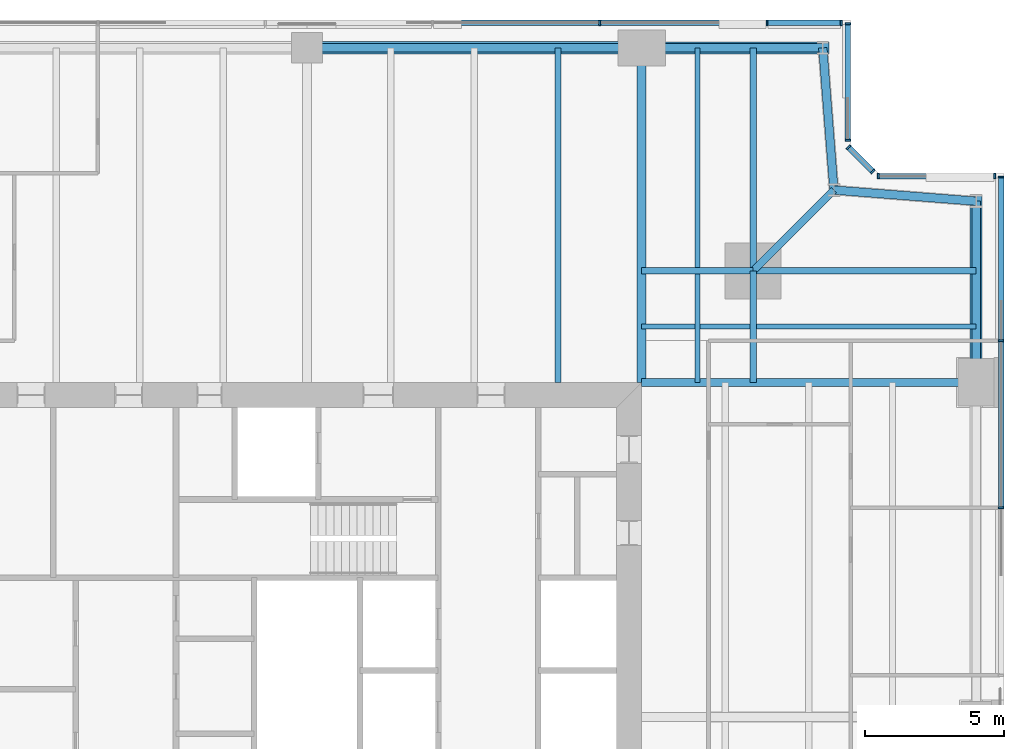
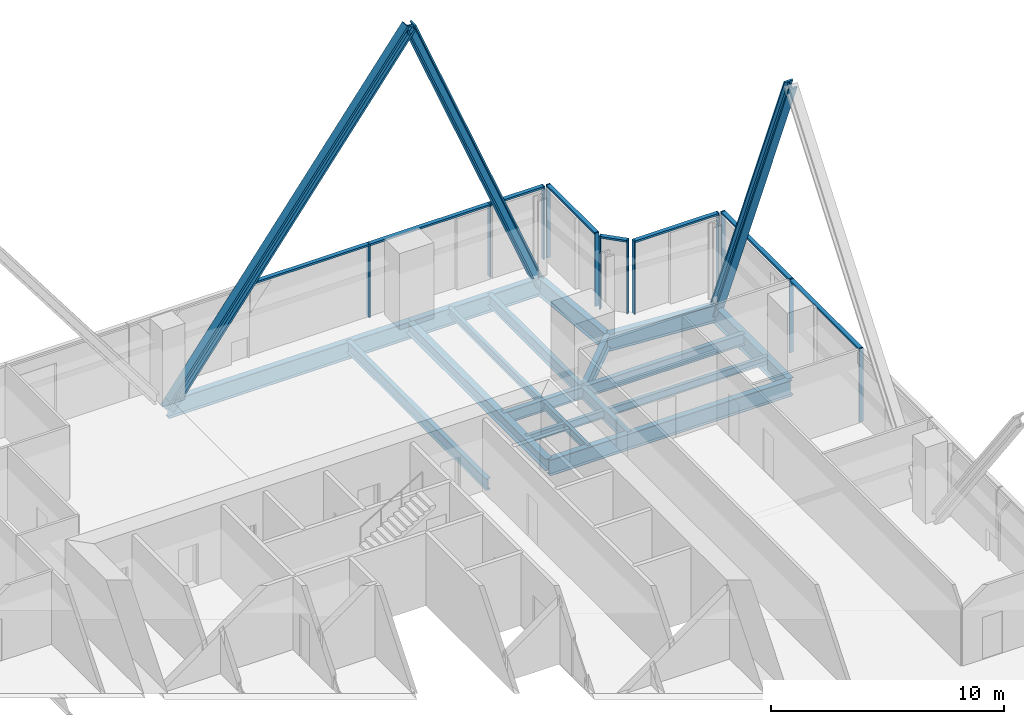
# One storey, part 7 of 14: 23 members, 18 beams, 5 elements without a shape of their own.
"""IFC4 building model written with IfcOpenShell, lengths in metres."""

from ifc_helpers import new_model, si_unit, direction, frame, origin, origin_2d, place, context, subcontext, project, spatial, rectangle, i_section, extrude, material, material_profile, profile_set, type_object, element, aggregate, save


model = new_model("IFC4")

# Units and contexts
model_context = context("Model", 3, precision=1e-05, world=origin(), true_north=direction((0.0, 1.0)))
body_context = subcontext(model_context, "Body", "Model", "MODEL_VIEW")
ifc_project = project(units=[si_unit("LENGTHUNIT", "METRE"), si_unit("AREAUNIT", "SQUARE_METRE"), si_unit("VOLUMEUNIT", "CUBIC_METRE"), si_unit("PLANEANGLEUNIT", "RADIAN"), si_unit("MASSUNIT", "GRAM", prefix="KILO")], contexts=[model_context])

# Site, building, storey
site_placement = place(None, origin())
site = spatial("IfcSite", under=ifc_project, at=site_placement, CompositionType="ELEMENT")
building_placement = place(site_placement, origin())
building = spatial("IfcBuilding", under=site, at=building_placement, Name="Fenwick Lantern Interchange", CompositionType="ELEMENT")
storey_placement = place(building_placement, frame((0.0, 0.0, 217.800048828125)))
storey = spatial("IfcBuildingStorey", under=building, at=storey_placement, Name="L51", CompositionType="ELEMENT", Elevation=217.800048828125)

# Beams
ifc_material_1 = material(Name="Steel ASTM A992 Grade 50", Category="steel")
ifc_material_profile_1 = material_profile(ifc_material_1, i_section(OverallWidth=0.3046875, OverallDepth=0.911865234375, WebThickness=0.015869140625, FlangeThickness=0.02392578125, at=origin_2d()), Name="W36X150")
ifc_profile_set_1 = profile_set([ifc_material_profile_1], Name="Steel ASTM A992 Grade 50")
beam_type_1 = type_object("IfcBeamType", Name="EDGE BEAM W36X150", PredefinedType="SPANDREL", material=ifc_profile_set_1)
beam_1_placement = place(storey_placement, frame((49.0, 37.0, -0.60595703125), z_axis=(0.0, 1.0, 0.0), x_axis=(-1.0, 0.0, 0.0)))
element("IfcBeam", 1, at=beam_1_placement, inside=storey, type_object=beam_type_1, Name="L51/FR/E/EB4", PredefinedType="SPANDREL", context=body_context, shape_type="SweptSolid", body=[
    extrude(i_section(OverallWidth=0.3046875, OverallDepth=0.911865234375, WebThickness=0.015869140625, FlangeThickness=0.02392578125, at=origin_2d()), origin(), (0.0, 0.0, 1.0), 6.5),
])
for number, where, z_axis, x_axis, name in (
    (2, (49.0, 43.5, -0.60595703125), (-0.99693998236, 0.078170784639, 0.0), (-0.078170784639, -0.99693998236, 0.0), "L51/FR/E/EBR1"),
    (3, (43.89990234375, 43.89990234375, -0.60595703125), (-0.078170784639, 0.99693998236, 0.0), (-0.99693998236, -0.078170784639, 0.0), "L51/FR/E/EBR2"),
):
    element("IfcBeam", number, at=place(storey_placement, frame(where, z_axis=z_axis, x_axis=x_axis)), inside=storey, type_object=beam_type_1, Name=name, PredefinedType="SPANDREL", context=body_context, shape_type="SweptSolid", body=[
        extrude(i_section(OverallWidth=0.3046875, OverallDepth=0.911865234375, WebThickness=0.015869140625, FlangeThickness=0.02392578125, at=origin_2d()), origin(), (0.0, 0.0, 1.0), 5.11572265625),
    ])
beam_2_placement = place(storey_placement, frame((43.5, 49.0, -0.60595703125), z_axis=(-1.0, 0.0, 0.0), x_axis=(0.0, -1.0, 0.0)))
element("IfcBeam", 4, at=beam_2_placement, inside=storey, type_object=beam_type_1, Name="L51/FR/N/EB1", PredefinedType="SPANDREL", context=body_context, shape_type="SweptSolid", body=[
    extrude(i_section(OverallWidth=0.3046875, OverallDepth=0.911865234375, WebThickness=0.015869140625, FlangeThickness=0.02392578125, at=origin_2d()), origin(), (0.0, 0.0, 1.0), 6.5),
])
beam_3_placement = place(storey_placement, frame((37.0, 49.0, -0.60595703125), z_axis=(-1.0, 0.0, 0.0), x_axis=(0.0, -1.0, 0.0)))
element("IfcBeam", 5, at=beam_3_placement, inside=storey, type_object=beam_type_1, Name="L51/FR/N/EB2", PredefinedType="SPANDREL", context=body_context, shape_type="SweptSolid", body=[
    extrude(i_section(OverallWidth=0.3046875, OverallDepth=0.911865234375, WebThickness=0.015869140625, FlangeThickness=0.02392578125, at=origin_2d()), origin(), (0.0, 0.0, 1.0), 12.0),
])

# Members
ifc_material_profile_2 = material_profile(ifc_material_1, i_section(OverallWidth=0.424072265625, OverallDepth=0.47509765625, WebThickness=0.0478515625, FlangeThickness=0.0771484375, at=origin_2d()), Name="W14X426")
ifc_profile_set_2 = profile_set([ifc_material_profile_2], Name="Steel ASTM A992 Grade 50")
member_type_1 = type_object("IfcMemberType", Name="FACADE BRACE W14X426", PredefinedType="BRACE", material=ifc_profile_set_2)
for number, where, z_axis, x_axis, name in (
    (6, (49.0, 43.5, -0.60595703125), (0.0, -0.378707062483, 0.925516591329), (1.0, 0.0, 0.0), "L51/FB/E/BE"),
    (7, (43.5, 49.0, -0.60595703125), (-0.378707062483, 0.0, 0.925516591329), (0.0, -1.0, 0.0), "L51/FB/N/AE"),
):
    element("IfcMember", number, at=place(storey_placement, frame(where, z_axis=z_axis, x_axis=x_axis)), inside=storey, type_object=member_type_1, Name=name, PredefinedType="BRACE", context=body_context, shape_type="SweptSolid", body=[
        extrude(i_section(OverallWidth=0.424072265625, OverallDepth=0.47509765625, WebThickness=0.0478515625, FlangeThickness=0.0771484375, at=origin_2d()), origin(), (0.0, 0.0, 1.0), 17.16357421875),
    ])
ifc_material_profile_3 = material_profile(ifc_material_1, i_section(OverallWidth=0.44189453125, OverallDepth=0.53076171875, WebThickness=0.06591796875, FlangeThickness=0.105712890625, at=origin_2d()), Name="W14X605")
ifc_profile_set_3 = profile_set([ifc_material_profile_3], Name="Steel ASTM A992 Grade 50")
member_type_2 = type_object("IfcMemberType", Name="FACADE BRACE W14X605", PredefinedType="BRACE", material=ifc_profile_set_3)
member_1_placement = place(storey_placement, frame((25.0, 49.0, -0.60595703125), z_axis=(0.602763000162, 0.0, 0.797920275238), x_axis=(0.0, 1.0, 0.0)))
element("IfcMember", 8, at=member_1_placement, inside=storey, type_object=member_type_2, Name="L51/FB/N/A", PredefinedType="BRACE", context=body_context, shape_type="SweptSolid", body=[
    extrude(i_section(OverallWidth=0.44189453125, OverallDepth=0.53076171875, WebThickness=0.06591796875, FlangeThickness=0.105712890625, at=origin_2d()), origin(), (0.0, 0.0, 1.0), 19.908203125),
])

# Beams
ifc_material_profile_4 = material_profile(ifc_material_1, i_section(OverallWidth=0.22900390625, OverallDepth=0.612060546875, WebThickness=0.011962890625, FlangeThickness=0.01953125, at=origin_2d()), Name="W24X84")
ifc_profile_set_4 = profile_set([ifc_material_profile_4], Name="Steel ASTM A992 Grade 50")
beam_type_2 = type_object("IfcBeamType", Name="FLOOR BEAM W24X84", PredefinedType="BEAM", material=ifc_profile_set_4)
beam_4_placement = place(storey_placement, frame((34.0, 49.0, -0.4560546875), z_axis=(0.0, -1.0, 0.0), x_axis=(1.0, 0.0, 0.0)))
element("IfcBeam", 9, at=beam_4_placement, inside=storey, type_object=beam_type_2, Name="L51/FR/N/R02", PredefinedType="BEAM", context=body_context, shape_type="SweptSolid", body=[
    extrude(i_section(OverallWidth=0.22900390625, OverallDepth=0.612060546875, WebThickness=0.011962890625, FlangeThickness=0.01953125, at=origin_2d()), origin(), (0.0, 0.0, 1.0), 12.0),
])
ifc_material_profile_5 = material_profile(ifc_material_1, i_section(OverallWidth=0.177734375, OverallDepth=0.406494140625, WebThickness=0.0078125, FlangeThickness=0.012939453125, at=origin_2d()), Name="W16X40")
ifc_profile_set_5 = profile_set([ifc_material_profile_5], Name="Steel ASTM A992 Grade 50")
beam_type_3 = type_object("IfcBeamType", Name="INFILL BEAM W16X40", PredefinedType="JOIST", material=ifc_profile_set_5)
beam_5_placement = place(storey_placement, frame((39.0, 49.0, -0.353271484375), z_axis=(0.0, -1.0, 0.0), x_axis=(1.0, 0.0, 0.0)))
element("IfcBeam", 10, at=beam_5_placement, inside=storey, type_object=beam_type_3, Name="L51/FR/N/J1", PredefinedType="JOIST", context=body_context, shape_type="SweptSolid", body=[
    extrude(i_section(OverallWidth=0.177734375, OverallDepth=0.406494140625, WebThickness=0.0078125, FlangeThickness=0.012939453125, at=origin_2d()), origin(), (0.0, 0.0, 1.0), 7.885498046875),
])
beam_6_placement = place(storey_placement, frame((39.0, 40.885498046875, -0.353271484375), z_axis=(0.0, -1.0, 0.0), x_axis=(1.0, 0.0, 0.0)))
element("IfcBeam", 11, at=beam_6_placement, inside=storey, type_object=beam_type_3, Name="L51/FR/N/J2", PredefinedType="JOIST", context=body_context, shape_type="SweptSolid", body=[
    extrude(i_section(OverallWidth=0.177734375, OverallDepth=0.406494140625, WebThickness=0.0078125, FlangeThickness=0.012939453125, at=origin_2d()), origin(), (0.0, 0.0, 1.0), 3.885498046875),
])
beam_7_placement = place(storey_placement, frame((49.0, 39.0, -0.353271484375), z_axis=(-1.0, 0.0, 0.0), x_axis=(0.0, -1.0, 0.0)))
element("IfcBeam", 12, at=beam_7_placement, inside=storey, type_object=beam_type_3, Name="L51/FR/N/J3", PredefinedType="JOIST", context=body_context, shape_type="SweptSolid", body=[
    extrude(i_section(OverallWidth=0.177734375, OverallDepth=0.406494140625, WebThickness=0.0078125, FlangeThickness=0.012939453125, at=origin_2d()), origin(), (0.0, 0.0, 1.0), 7.885498046875),
])
beam_8_placement = place(storey_placement, frame((40.885498046875, 39.0, -0.353271484375), z_axis=(-1.0, 0.0, 0.0), x_axis=(0.0, -1.0, 0.0)))
element("IfcBeam", 13, at=beam_8_placement, inside=storey, type_object=beam_type_3, Name="L51/FR/N/J4", PredefinedType="JOIST", context=body_context, shape_type="SweptSolid", body=[
    extrude(i_section(OverallWidth=0.177734375, OverallDepth=0.406494140625, WebThickness=0.0078125, FlangeThickness=0.012939453125, at=origin_2d()), origin(), (0.0, 0.0, 1.0), 1.796630859375),
])
beam_9_placement = place(storey_placement, frame((38.9111328125, 39.0, -0.353271484375), z_axis=(-1.0, 0.0, 0.0), x_axis=(0.0, -1.0, 0.0)))
element("IfcBeam", 14, at=beam_9_placement, inside=storey, type_object=beam_type_3, Name="L51/FR/N/J5", PredefinedType="JOIST", context=body_context, shape_type="SweptSolid", body=[
    extrude(i_section(OverallWidth=0.177734375, OverallDepth=0.406494140625, WebThickness=0.0078125, FlangeThickness=0.012939453125, at=origin_2d()), origin(), (0.0, 0.0, 1.0), 1.9111328125),
])
ifc_material_profile_6 = material_profile(ifc_material_1, i_section(OverallWidth=0.22900390625, OverallDepth=0.612060546875, WebThickness=0.011962890625, FlangeThickness=0.01953125, at=origin_2d()), Name="W24X84")
ifc_profile_set_6 = profile_set([ifc_material_profile_6], Name="Steel ASTM A992 Grade 50")
beam_type_4 = type_object("IfcBeamType", Name="MEGA COLUMN BEAM W24X84", PredefinedType="BEAM", material=ifc_profile_set_6)
for number, where, z_axis, x_axis, name in (
    (15, (41.0, 41.0, -0.4560546875), (0.0, 1.0, 0.0), (-1.0, 0.0, 0.0), "L51/FR/N/MB1"),
    (16, (41.0, 41.0, -0.4560546875), (1.0, 0.0, 0.0), (0.0, 1.0, 0.0), "L51/FR/N/MB2"),
):
    element("IfcBeam", number, at=place(storey_placement, frame(where, z_axis=z_axis, x_axis=x_axis)), inside=storey, type_object=beam_type_4, Name=name, PredefinedType="BEAM", context=body_context, shape_type="SweptSolid", body=[
        extrude(i_section(OverallWidth=0.22900390625, OverallDepth=0.612060546875, WebThickness=0.011962890625, FlangeThickness=0.01953125, at=origin_2d()), origin(), (0.0, 0.0, 1.0), 8.0),
    ])
for number, where, z_axis, x_axis, name in (
    (17, (41.0, 41.0, -0.4560546875), (-1.0, 0.0, 0.0), (0.0, -1.0, 0.0), "L51/FR/N/MB3"),
    (18, (41.0, 41.0, -0.4560546875), (0.0, -1.0, 0.0), (1.0, 0.0, 0.0), "L51/FR/N/MB4"),
):
    element("IfcBeam", number, at=place(storey_placement, frame(where, z_axis=z_axis, x_axis=x_axis)), inside=storey, type_object=beam_type_4, Name=name, PredefinedType="BEAM", context=body_context, shape_type="SweptSolid", body=[
        extrude(i_section(OverallWidth=0.22900390625, OverallDepth=0.612060546875, WebThickness=0.011962890625, FlangeThickness=0.01953125, at=origin_2d()), origin(), (0.0, 0.0, 1.0), 4.0),
    ])
ifc_material_profile_7 = material_profile(ifc_material_1, i_section(OverallWidth=0.32763671875, OverallDepth=0.622314453125, WebThickness=0.015380859375, FlangeThickness=0.0244140625, at=origin_2d()), Name="W24X131")
ifc_profile_set_7 = profile_set([ifc_material_profile_7], Name="Steel ASTM A992 Grade 50")
beam_type_5 = type_object("IfcBeamType", Name="MOMENT-CONNECTED GIRDER W24X131", PredefinedType="BEAM", material=ifc_profile_set_7)
beam_10_placement = place(storey_placement, frame((37.0, 49.0, -0.461181640625), z_axis=(0.0, -1.0, 0.0), x_axis=(1.0, 0.0, 0.0)))
element("IfcBeam", 19, at=beam_10_placement, inside=storey, type_object=beam_type_5, Name="L51/FR/N/R01", PredefinedType="BEAM", context=body_context, shape_type="SweptSolid", body=[
    extrude(i_section(OverallWidth=0.32763671875, OverallDepth=0.622314453125, WebThickness=0.015380859375, FlangeThickness=0.0244140625, at=origin_2d()), origin(), (0.0, 0.0, 1.0), 12.0),
])
ifc_material_profile_8 = material_profile(ifc_material_1, i_section(OverallWidth=0.2919921875, OverallDepth=0.845703125, WebThickness=0.015380859375, FlangeThickness=0.0244140625, at=origin_2d()), Name="W33X141")
ifc_profile_set_8 = profile_set([ifc_material_profile_8], Name="Steel ASTM A992 Grade 50")
beam_type_6 = type_object("IfcBeamType", Name="MOMENT-CONNECTED GIRDER W33X141", PredefinedType="BEAM", material=ifc_profile_set_8)
beam_11_placement = place(storey_placement, frame((49.0, 37.0, -0.572998046875), z_axis=(-1.0, 0.0, 0.0), x_axis=(0.0, -1.0, 0.0)))
element("IfcBeam", 20, at=beam_11_placement, inside=storey, type_object=beam_type_6, Name="L51/FR/E/R03", PredefinedType="BEAM", context=body_context, shape_type="SweptSolid", body=[
    extrude(i_section(OverallWidth=0.2919921875, OverallDepth=0.845703125, WebThickness=0.015380859375, FlangeThickness=0.0244140625, at=origin_2d()), origin(), (0.0, 0.0, 1.0), 12.0),
])
ifc_material_profile_9 = material_profile(ifc_material_1, i_section(OverallWidth=0.2666015625, OverallDepth=0.7568359375, WebThickness=0.013916015625, FlangeThickness=0.019287109375, at=origin_2d()), Name="W30X108")
ifc_profile_set_9 = profile_set([ifc_material_profile_9], Name="Steel ASTM A992 Grade 50")
beam_type_7 = type_object("IfcBeamType", Name="NOTCH BEAM W30X108", PredefinedType="BEAM", material=ifc_profile_set_9)
beam_12_placement = place(storey_placement, frame((41.0, 41.0, -0.528564453125), z_axis=(0.707106781187, 0.707106781187, 0.0), x_axis=(-0.707106781187, 0.707106781187, 0.0)))
element("IfcBeam", 21, at=beam_12_placement, inside=storey, type_object=beam_type_7, Name="L51/FR/N/TG", PredefinedType="BEAM", context=body_context, shape_type="SweptSolid", body=[
    extrude(i_section(OverallWidth=0.2666015625, OverallDepth=0.7568359375, WebThickness=0.013916015625, FlangeThickness=0.019287109375, at=origin_2d()), origin(), (0.0, 0.0, 1.0), 4.10107421875),
])

# Curtain wall, members
ifc_material_2 = material(Name="Aluminium curtain wall frame", Category="aluminium")
curtain_wall_type = type_object("IfcCurtainWallType", Name="OFFICE CURTAIN WALL", PredefinedType="USERDEFINED", material=ifc_material_2)
curtain_wall_1_placement = place(storey_placement, origin())
curtain_wall_1 = element("IfcCurtainWall", 22, at=curtain_wall_1_placement, inside=storey, type_object=curtain_wall_type, Name="Office curtain wall 05", ObjectType="OFFICE CURTAIN WALL", PredefinedType="USERDEFINED")
ifc_material_3 = material(Name="Aluminium extrusion", Category="aluminium")
ifc_material_profile_10 = material_profile(ifc_material_3, rectangle(XDim=0.199951171875, YDim=0.06494140625, at=origin_2d()), Name="OFFICE CURTAIN WALL MULLION 65 X 200")
ifc_profile_set_10 = profile_set([ifc_material_profile_10], Name="Aluminium extrusion")
member_type_3 = type_object("IfcMemberType", Name="OFFICE CURTAIN WALL MULLION 65 X 200", PredefinedType="MULLION", material=ifc_profile_set_10)
member_2_placement = place(storey_placement, frame((49.89990234375, 32.5, 0.0), z_axis=(0.0, 0.0, 1.0), x_axis=(-1.0, 0.0, 0.0)))
member_2 = element("IfcMember", 23, at=member_2_placement, type_object=member_type_3, Name="L51/CW/05/M05", PredefinedType="MULLION", context=body_context, shape_type="SweptSolid", body=[
    extrude(rectangle(XDim=0.199951171875, YDim=0.06494140625, at=origin_2d()), origin(), (0.0, 0.0, 1.0), 3.849853515625),
])
member_3_placement = place(storey_placement, frame((49.89990234375, 38.5, 0.0), z_axis=(0.0, 0.0, 1.0), x_axis=(-1.0, 0.0, 0.0)))
member_3 = element("IfcMember", 24, at=member_3_placement, type_object=member_type_3, Name="L51/CW/05/M06", PredefinedType="MULLION", context=body_context, shape_type="SweptSolid", body=[
    extrude(rectangle(XDim=0.199951171875, YDim=0.06494140625, at=origin_2d()), origin(), (0.0, 0.0, 1.0), 3.849853515625),
])
member_4_placement = place(storey_placement, frame((49.89990234375, 44.367431640625, 0.0), z_axis=(0.0, 0.0, 1.0), x_axis=(-1.0, 0.0, 0.0)))
member_4 = element("IfcMember", 25, at=member_4_placement, type_object=member_type_3, Name="L51/CW/05/M07", PredefinedType="MULLION", context=body_context, shape_type="SweptSolid", body=[
    extrude(rectangle(XDim=0.199951171875, YDim=0.06494140625, at=origin_2d()), origin(), (0.0, 0.0, 1.0), 3.849853515625),
])

curtain_wall_2_placement = place(storey_placement, origin())
curtain_wall_2 = element("IfcCurtainWall", 26, at=curtain_wall_2_placement, inside=storey, type_object=curtain_wall_type, Name="Office curtain wall 06", ObjectType="OFFICE CURTAIN WALL", PredefinedType="USERDEFINED")
member_5_placement = place(storey_placement, frame((49.66748046875, 44.39990234375, 0.0), z_axis=(0.0, 0.0, 1.0), x_axis=(0.0, -1.0, 0.0)))
member_5 = element("IfcMember", 27, at=member_5_placement, type_object=member_type_3, Name="L51/CW/06/M00", PredefinedType="MULLION", context=body_context, shape_type="SweptSolid", body=[
    extrude(rectangle(XDim=0.199951171875, YDim=0.06494140625, at=origin_2d()), origin(), (0.0, 0.0, 1.0), 3.849853515625),
])
member_6_placement = place(storey_placement, frame((45.490966796875, 44.39990234375, 0.0), z_axis=(0.0, 0.0, 1.0), x_axis=(0.0, -1.0, 0.0)))
member_6 = element("IfcMember", 28, at=member_6_placement, type_object=member_type_3, Name="L51/CW/06/M01", PredefinedType="MULLION", context=body_context, shape_type="SweptSolid", body=[
    extrude(rectangle(XDim=0.199951171875, YDim=0.06494140625, at=origin_2d()), origin(), (0.0, 0.0, 1.0), 3.849853515625),
])

curtain_wall_3_placement = place(storey_placement, origin())
curtain_wall_3 = element("IfcCurtainWall", 29, at=curtain_wall_3_placement, inside=storey, type_object=curtain_wall_type, Name="Office curtain wall 07", ObjectType="OFFICE CURTAIN WALL", PredefinedType="USERDEFINED")
member_7_placement = place(storey_placement, frame((45.294189453125, 44.564453125, 0.0), z_axis=(0.0, 0.0, 1.0), x_axis=(-0.707106781187, -0.707106781187, 0.0)))
member_7 = element("IfcMember", 30, at=member_7_placement, type_object=member_type_3, Name="L51/CW/07/M00", PredefinedType="MULLION", context=body_context, shape_type="SweptSolid", body=[
    extrude(rectangle(XDim=0.199951171875, YDim=0.06494140625, at=origin_2d()), origin(), (0.0, 0.0, 1.0), 3.849853515625),
])
member_8_placement = place(storey_placement, frame((44.423095703125, 45.435546875, 0.0), z_axis=(0.0, 0.0, 1.0), x_axis=(-0.707106781187, -0.707106781187, 0.0)))
member_8 = element("IfcMember", 31, at=member_8_placement, type_object=member_type_3, Name="L51/CW/07/M01", PredefinedType="MULLION", context=body_context, shape_type="SweptSolid", body=[
    extrude(rectangle(XDim=0.199951171875, YDim=0.06494140625, at=origin_2d()), origin(), (0.0, 0.0, 1.0), 3.849853515625),
])

curtain_wall_4_placement = place(storey_placement, origin())
curtain_wall_4 = element("IfcCurtainWall", 32, at=curtain_wall_4_placement, inside=storey, type_object=curtain_wall_type, Name="Office curtain wall 08", ObjectType="OFFICE CURTAIN WALL", PredefinedType="USERDEFINED")
member_9_placement = place(storey_placement, frame((44.39990234375, 45.691162109375, 0.0), z_axis=(0.0, 0.0, 1.0), x_axis=(-1.0, 0.0, 0.0)))
member_9 = element("IfcMember", 33, at=member_9_placement, type_object=member_type_3, Name="L51/CW/08/M00", PredefinedType="MULLION", context=body_context, shape_type="SweptSolid", body=[
    extrude(rectangle(XDim=0.199951171875, YDim=0.06494140625, at=origin_2d()), origin(), (0.0, 0.0, 1.0), 3.849853515625),
])
member_10_placement = place(storey_placement, frame((44.39990234375, 49.867431640625, 0.0), z_axis=(0.0, 0.0, 1.0), x_axis=(-1.0, 0.0, 0.0)))
member_10 = element("IfcMember", 34, at=member_10_placement, type_object=member_type_3, Name="L51/CW/08/M01", PredefinedType="MULLION", context=body_context, shape_type="SweptSolid", body=[
    extrude(rectangle(XDim=0.199951171875, YDim=0.06494140625, at=origin_2d()), origin(), (0.0, 0.0, 1.0), 3.849853515625),
])

curtain_wall_5_placement = place(storey_placement, origin())
curtain_wall_5 = element("IfcCurtainWall", 35, at=curtain_wall_5_placement, inside=storey, type_object=curtain_wall_type, Name="Office curtain wall 09", ObjectType="OFFICE CURTAIN WALL", PredefinedType="USERDEFINED")
member_11_placement = place(storey_placement, frame((44.16748046875, 49.89990234375, 0.0), z_axis=(0.0, 0.0, 1.0), x_axis=(0.0, -1.0, 0.0)))
member_11 = element("IfcMember", 36, at=member_11_placement, type_object=member_type_3, Name="L51/CW/09/M00", PredefinedType="MULLION", context=body_context, shape_type="SweptSolid", body=[
    extrude(rectangle(XDim=0.199951171875, YDim=0.06494140625, at=origin_2d()), origin(), (0.0, 0.0, 1.0), 3.849853515625),
])
member_12_placement = place(storey_placement, frame((41.5, 49.89990234375, 0.0), z_axis=(0.0, 0.0, 1.0), x_axis=(0.0, -1.0, 0.0)))
member_12 = element("IfcMember", 37, at=member_12_placement, type_object=member_type_3, Name="L51/CW/09/M01", PredefinedType="MULLION", context=body_context, shape_type="SweptSolid", body=[
    extrude(rectangle(XDim=0.199951171875, YDim=0.06494140625, at=origin_2d()), origin(), (0.0, 0.0, 1.0), 3.849853515625),
])
member_13_placement = place(storey_placement, frame((35.5, 49.89990234375, 0.0), z_axis=(0.0, 0.0, 1.0), x_axis=(0.0, -1.0, 0.0)))
member_13 = element("IfcMember", 38, at=member_13_placement, type_object=member_type_3, Name="L51/CW/09/M02", PredefinedType="MULLION", context=body_context, shape_type="SweptSolid", body=[
    extrude(rectangle(XDim=0.199951171875, YDim=0.06494140625, at=origin_2d()), origin(), (0.0, 0.0, 1.0), 3.849853515625),
])

# Member
ifc_material_profile_11 = material_profile(ifc_material_3, rectangle(XDim=0.199951171875, YDim=0.10009765625, at=origin_2d()), Name="OFFICE CURTAIN WALL TRANSOM 100 X 200")
ifc_profile_set_11 = profile_set([ifc_material_profile_11], Name="Aluminium extrusion")
member_type_4 = type_object("IfcMemberType", Name="OFFICE CURTAIN WALL TRANSOM 100 X 200", PredefinedType="MULLION", material=ifc_profile_set_11)
member_14_placement = place(storey_placement, frame((49.89990234375, 32.532470703125, 3.800048828125), z_axis=(0.0, 1.0, 0.0), x_axis=(-1.0, 0.0, 0.0)))
member_14 = element("IfcMember", 39, at=member_14_placement, type_object=member_type_4, Name="L51/CW/05/T05", PredefinedType="MULLION", context=body_context, shape_type="SweptSolid", body=[
    extrude(rectangle(XDim=0.199951171875, YDim=0.10009765625, at=origin_2d()), origin(), (0.0, 0.0, 1.0), 5.93505859375),
])

member_15_placement = place(storey_placement, frame((49.89990234375, 38.532470703125, 3.800048828125), z_axis=(0.0, 1.0, 0.0), x_axis=(-1.0, 0.0, 0.0)))
member_15 = element("IfcMember", 40, at=member_15_placement, type_object=member_type_4, Name="L51/CW/05/T06", PredefinedType="MULLION", context=body_context, shape_type="SweptSolid", body=[
    extrude(rectangle(XDim=0.199951171875, YDim=0.10009765625, at=origin_2d()), origin(), (0.0, 0.0, 1.0), 5.802490234375),
])

aggregate(curtain_wall_1, [member_2, member_3, member_4, member_14, member_15])

member_16_placement = place(storey_placement, frame((49.635009765625, 44.39990234375, 3.800048828125), z_axis=(-1.0, 0.0, 0.0), x_axis=(0.0, -1.0, 0.0)))
member_16 = element("IfcMember", 41, at=member_16_placement, type_object=member_type_4, Name="L51/CW/06/T00", PredefinedType="MULLION", context=body_context, shape_type="SweptSolid", body=[
    extrude(rectangle(XDim=0.199951171875, YDim=0.10009765625, at=origin_2d()), origin(), (0.0, 0.0, 1.0), 4.111328125),
])

aggregate(curtain_wall_2, [member_5, member_6, member_16])

member_17_placement = place(storey_placement, frame((45.271240234375, 44.58740234375, 3.800048828125), z_axis=(-0.707106781187, 0.707106781187, 0.0), x_axis=(-0.707106781187, -0.707106781187, 0.0)))
member_17 = element("IfcMember", 42, at=member_17_placement, type_object=member_type_4, Name="L51/CW/07/T00", PredefinedType="MULLION", context=body_context, shape_type="SweptSolid", body=[
    extrude(rectangle(XDim=0.199951171875, YDim=0.10009765625, at=origin_2d()), origin(), (0.0, 0.0, 1.0), 1.1669921875),
])

aggregate(curtain_wall_3, [member_7, member_8, member_17])

member_18_placement = place(storey_placement, frame((44.39990234375, 45.7236328125, 3.800048828125), z_axis=(0.0, 1.0, 0.0), x_axis=(-1.0, 0.0, 0.0)))
member_18 = element("IfcMember", 43, at=member_18_placement, type_object=member_type_4, Name="L51/CW/08/T00", PredefinedType="MULLION", context=body_context, shape_type="SweptSolid", body=[
    extrude(rectangle(XDim=0.199951171875, YDim=0.10009765625, at=origin_2d()), origin(), (0.0, 0.0, 1.0), 4.111328125),
])

aggregate(curtain_wall_4, [member_9, member_10, member_18])

member_19_placement = place(storey_placement, frame((44.135009765625, 49.89990234375, 3.800048828125), z_axis=(-1.0, 0.0, 0.0), x_axis=(0.0, -1.0, 0.0)))
member_19 = element("IfcMember", 44, at=member_19_placement, type_object=member_type_4, Name="L51/CW/09/T00", PredefinedType="MULLION", context=body_context, shape_type="SweptSolid", body=[
    extrude(rectangle(XDim=0.199951171875, YDim=0.10009765625, at=origin_2d()), origin(), (0.0, 0.0, 1.0), 2.6025390625),
])

member_20_placement = place(storey_placement, frame((41.467529296875, 49.89990234375, 3.800048828125), z_axis=(-1.0, 0.0, 0.0), x_axis=(0.0, -1.0, 0.0)))
member_20 = element("IfcMember", 45, at=member_20_placement, type_object=member_type_4, Name="L51/CW/09/T01", PredefinedType="MULLION", context=body_context, shape_type="SweptSolid", body=[
    extrude(rectangle(XDim=0.199951171875, YDim=0.10009765625, at=origin_2d()), origin(), (0.0, 0.0, 1.0), 5.93505859375),
])

member_21_placement = place(storey_placement, frame((35.467529296875, 49.89990234375, 3.800048828125), z_axis=(-1.0, 0.0, 0.0), x_axis=(0.0, -1.0, 0.0)))
member_21 = element("IfcMember", 46, at=member_21_placement, type_object=member_type_4, Name="L51/CW/09/T02", PredefinedType="MULLION", context=body_context, shape_type="SweptSolid", body=[
    extrude(rectangle(XDim=0.199951171875, YDim=0.10009765625, at=origin_2d()), origin(), (0.0, 0.0, 1.0), 5.93505859375),
])

aggregate(curtain_wall_5, [member_11, member_12, member_13, member_19, member_20, member_21])

save(model, "model.ifc")
